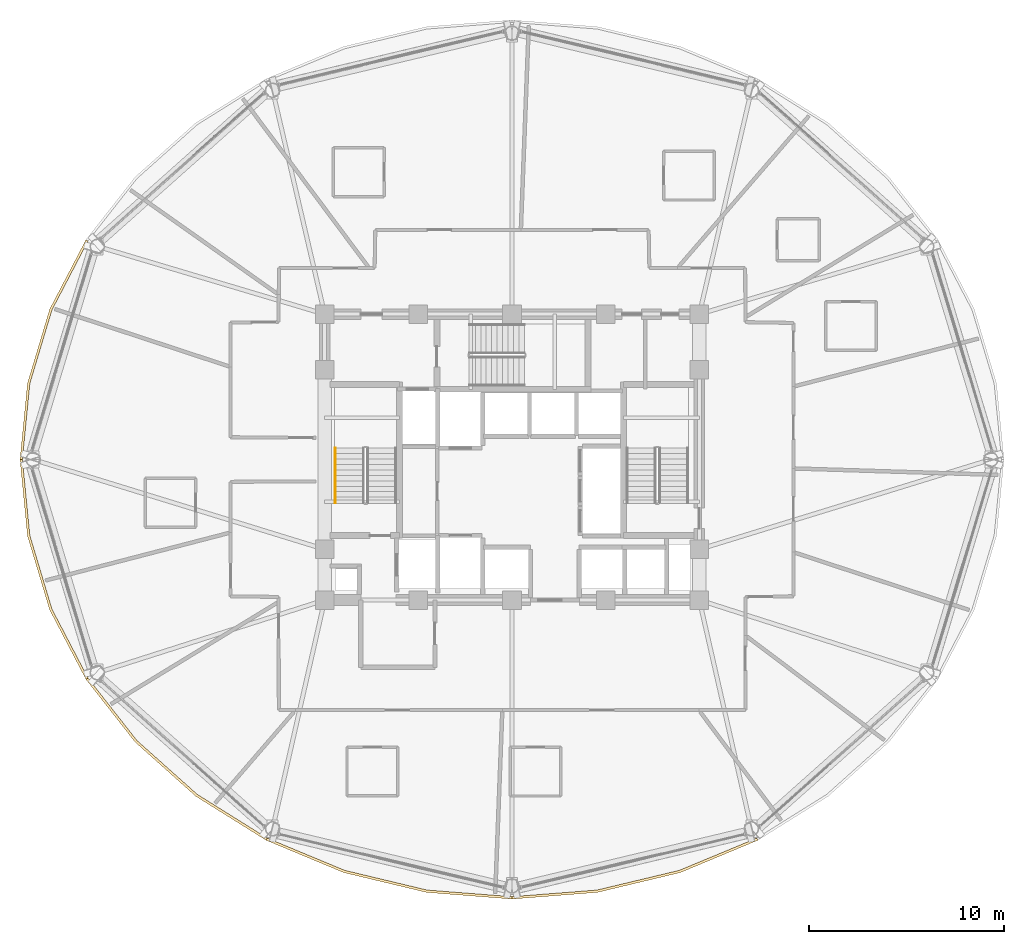
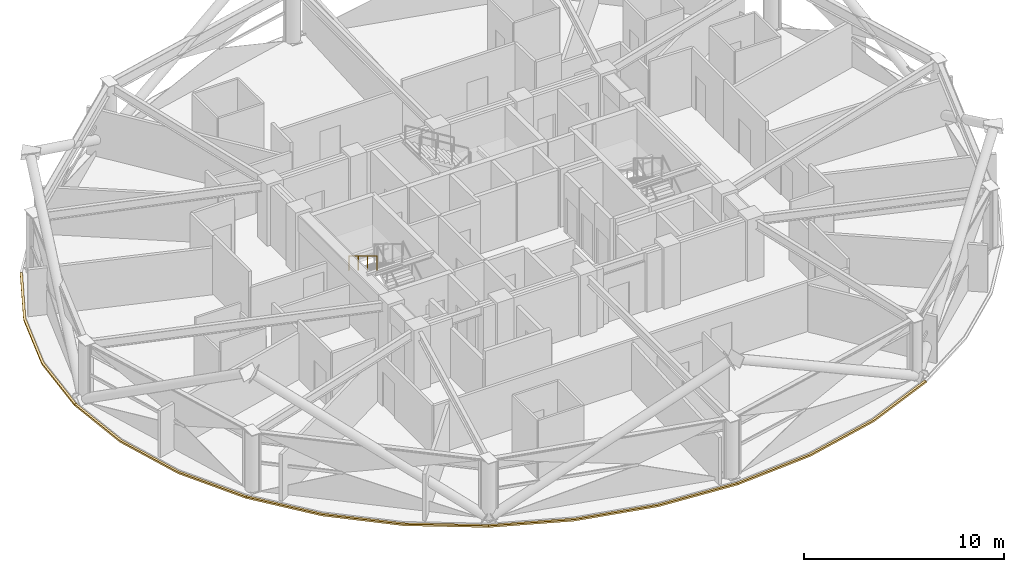
# One storey, part 26 of 29: 5 coverings, 1 railing.
"""IFC4 building model written with IfcOpenShell, lengths in metres."""

from ifc_helpers import new_model, si_unit, direction, frame, origin, origin_2d, place, context, subcontext, project, spatial, polyline, rectangle, outline, extrude, material, layer, layer_set, type_object, element, save


model = new_model("IFC4")

# Units and contexts
model_context = context("Model", 3, precision=1e-05, world=origin(), true_north=direction((0.0, 1.0)))
body_context = subcontext(model_context, "Body", "Model", "MODEL_VIEW")
ifc_project = project(units=[si_unit("LENGTHUNIT", "METRE"), si_unit("AREAUNIT", "SQUARE_METRE"), si_unit("VOLUMEUNIT", "CUBIC_METRE"), si_unit("PLANEANGLEUNIT", "RADIAN"), si_unit("MASSUNIT", "GRAM", prefix="KILO")], contexts=[model_context])

# Site, building, storey
site_placement = place(None, origin())
site = spatial("IfcSite", under=ifc_project, at=site_placement, CompositionType="ELEMENT")
building_placement = place(site_placement, origin())
building = spatial("IfcBuilding", under=site, at=building_placement, Name="Vantalir Tower", CompositionType="ELEMENT")
storey_placement = place(building_placement, frame((0.0, 0.0, 164.699951171875)))
storey = spatial("IfcBuildingStorey", under=building, at=storey_placement, Name="L41", CompositionType="ELEMENT", Elevation=164.699951171875)

# Coverings
ifc_material_1 = material(Name="Anodised champagne aluminium sill fascia", Category="aluminium")
ifc_layer = layer(ifc_material_1, 0.125)
ifc_layer_set = layer_set([ifc_layer], Name="Anodised champagne aluminium sill fascia")
covering_type = type_object("IfcCoveringType", Name="COV-SLAB-FASCIA-125", PredefinedType="CLADDING", material=ifc_layer_set)
covering_1_placement = place(storey_placement, frame((0.0, 0.0, -0.179931640625)))
element("IfcCovering", 1, at=covering_1_placement, inside=storey, type_object=covering_type, Name="L41 Perimeter Slab-Edge Sill Fascia 06", PredefinedType="CLADDING", context=body_context, shape_type="SweptSolid", body=[
    extrude(outline(polyline([(9.6669921875, 36.260986328125), (7.80908203125, 32.702880859375), (6.672119140625, 28.910888671875), (6.2890625, 25.0), (6.4140625, 25.0), (6.794921875, 28.888916015625), (7.927001953125, 32.660888671875), (9.77490234375, 36.198974609375), (9.6669921875, 36.260986328125)])), origin(), (0.0, 0.0, 1.0), 0.10498046875),
])
covering_2_placement = place(storey_placement, frame((0.0, 0.0, -0.179931640625)))
element("IfcCovering", 2, at=covering_2_placement, inside=storey, type_object=covering_type, Name="L41 Perimeter Slab-Edge Sill Fascia 07", PredefinedType="CLADDING", context=body_context, shape_type="SweptSolid", body=[
    extrude(outline(polyline([(6.2890625, 25.0), (6.672119140625, 21.089111328125), (7.80908203125, 17.297119140625), (9.6669921875, 13.738037109375), (9.77490234375, 13.801025390625), (7.927001953125, 17.339111328125), (6.794921875, 21.111083984375), (6.4140625, 25.0), (6.2890625, 25.0)])), origin(), (0.0, 0.0, 1.0), 0.10498046875),
])
covering_3_placement = place(storey_placement, frame((0.0, 0.0, -0.179931640625)))
element("IfcCovering", 3, at=covering_3_placement, inside=storey, type_object=covering_type, Name="L41 Perimeter Slab-Edge Sill Fascia 08", PredefinedType="CLADDING", context=body_context, shape_type="SweptSolid", body=[
    extrude(outline(polyline([(9.6669921875, 13.738037109375), (12.18701171875, 10.52197265625), (15.294921875, 7.74609375), (18.89404296875, 5.4951171875), (18.95703125, 5.60302734375), (15.375, 7.842041015625), (12.282958984375, 10.60302734375), (9.77490234375, 13.801025390625), (9.6669921875, 13.738037109375)])), origin(), (0.0, 0.0, 1.0), 0.10498046875),
])
covering_4_placement = place(storey_placement, frame((0.0, 0.0, -0.179931640625)))
element("IfcCovering", 4, at=covering_4_placement, inside=storey, type_object=covering_type, Name="L41 Perimeter Slab-Edge Sill Fascia 09", PredefinedType="CLADDING", context=body_context, shape_type="SweptSolid", body=[
    extrude(outline(polyline([(18.89404296875, 5.4951171875), (22.876953125, 3.8349609375), (27.1220703125, 2.819091796875), (31.5, 2.47705078125), (31.5, 2.60205078125), (27.14404296875, 2.94189453125), (22.919921875, 3.952880859375), (18.95703125, 5.60302734375), (18.89404296875, 5.4951171875)])), origin(), (0.0, 0.0, 1.0), 0.10498046875),
])
covering_5_placement = place(storey_placement, frame((0.0, 0.0, -0.179931640625)))
element("IfcCovering", 5, at=covering_5_placement, inside=storey, type_object=covering_type, Name="L41 Perimeter Slab-Edge Sill Fascia 10", PredefinedType="CLADDING", context=body_context, shape_type="SweptSolid", body=[
    extrude(outline(polyline([(31.5, 2.47705078125), (35.8779296875, 2.819091796875), (40.123046875, 3.8349609375), (44.10595703125, 5.4951171875), (44.04296875, 5.60302734375), (40.080078125, 3.952880859375), (35.85595703125, 2.94189453125), (31.5, 2.60205078125), (31.5, 2.47705078125)])), origin(), (0.0, 0.0, 1.0), 0.10498046875),
])

# Railing
ifc_material_2 = material(Name="Brushed stainless steel tubular handrail", Category="steel")
railing_type = type_object("IfcRailingType", Name="RAL-HANDRAIL-900", PredefinedType="HANDRAIL", material=ifc_material_2)
railing_placement = place(storey_placement, frame((22.449951171875, 25.590087890625, 2.04541015625)))
element("IfcRailing", 6, at=railing_placement, inside=storey, type_object=railing_type, Name="L41 ST1 stair handrail 2", PredefinedType="HANDRAIL", context=body_context, shape_type="SweptSolid", body=[
    extrude(rectangle(XDim=0.048095703125, YDim=0.048095703125, at=origin_2d()), frame((0.0, 0.0, 0.8759765625), z_axis=(0.0, -0.854169791009, 0.51999420009), x_axis=(1.0, 0.0, 0.0)), (0.0, 0.0, 1.0), 3.278076171875),
    extrude(rectangle(XDim=0.0419921875, YDim=0.0419921875, at=origin_2d()), origin(), (0.0, 0.0, 1.0), 0.851806640625),
    extrude(rectangle(XDim=0.0419921875, YDim=0.0419921875, at=origin_2d()), frame((0.0, -0.933349609375, 0.568115234375)), (0.0, 0.0, 1.0), 0.851806640625),
    extrude(rectangle(XDim=0.0419921875, YDim=0.0419921875, at=origin_2d()), frame((0.0, -1.86669921875, 1.136474609375)), (0.0, 0.0, 1.0), 0.851806640625),
    extrude(rectangle(XDim=0.0419921875, YDim=0.0419921875, at=origin_2d()), frame((0.0, -2.800048828125, 1.70458984375)), (0.0, 0.0, 1.0), 0.851806640625),
])

save(model, "model.ifc")
